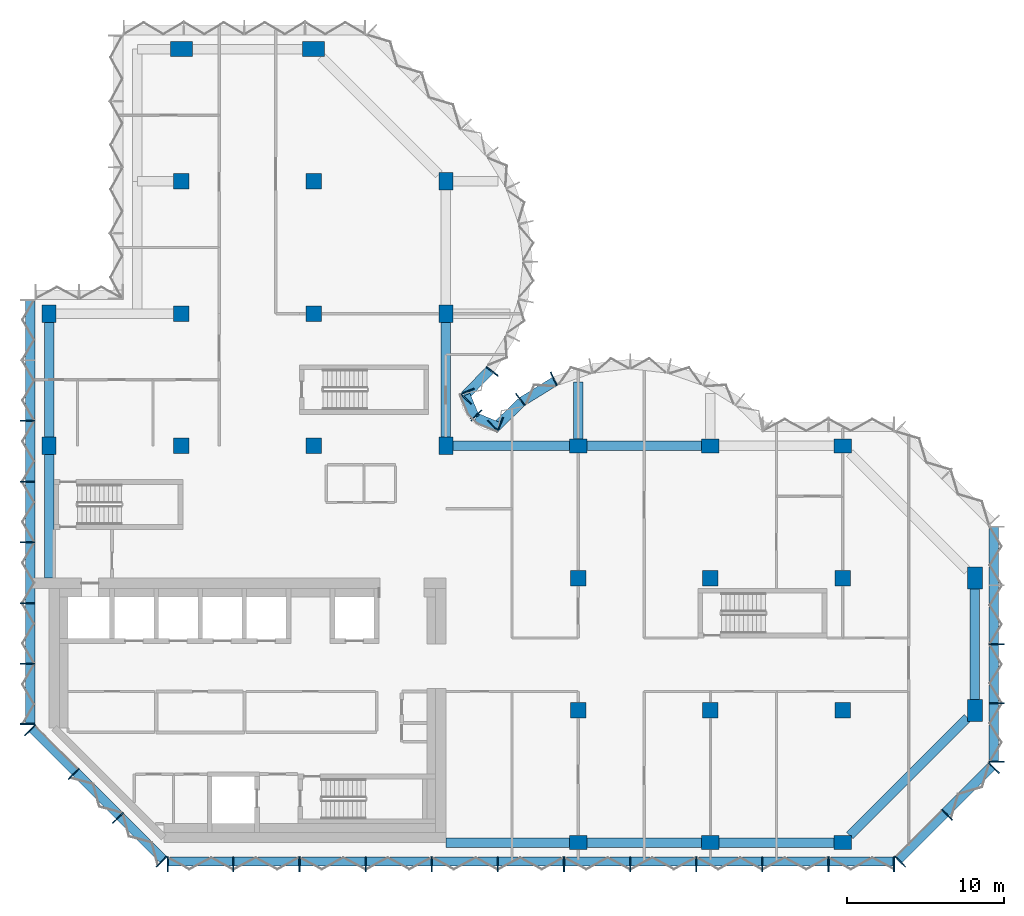
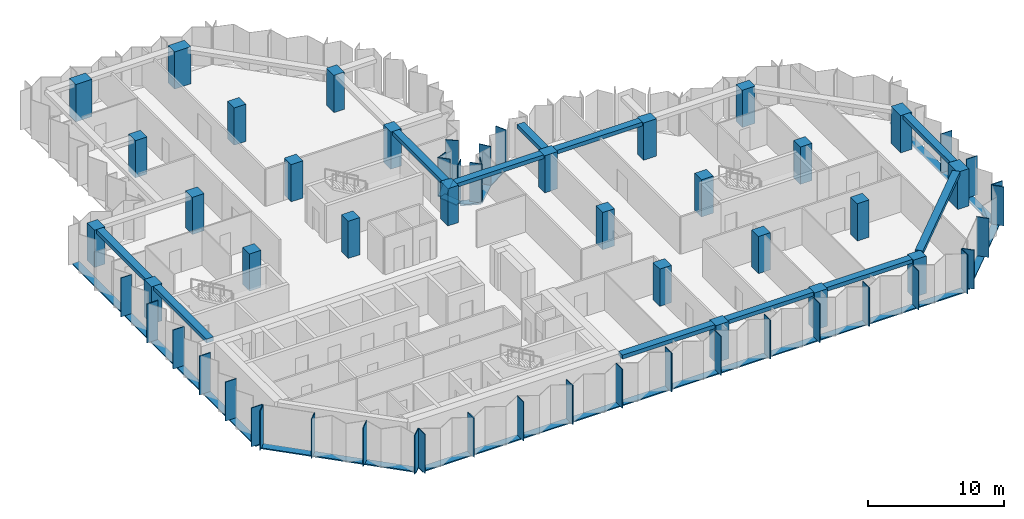
# One storey, part 1 of 10: 46 members, 27 columns, 11 beams, 8 elements without a shape of their own.
"""IFC4 building model written with IfcOpenShell, lengths in metres."""

from ifc_helpers import new_model, si_unit, direction, frame, origin, origin_2d, place, context, subcontext, project, spatial, rectangle, extrude, material, material_profile, profile_set, type_object, element, aggregate, save


model = new_model("IFC4")

# Units and contexts
model_context = context("Model", 3, precision=1e-05, world=origin(), true_north=direction((0.0, 1.0)))
body_context = subcontext(model_context, "Body", "Model", "MODEL_VIEW")
ifc_project = project(units=[si_unit("LENGTHUNIT", "METRE"), si_unit("AREAUNIT", "SQUARE_METRE"), si_unit("VOLUMEUNIT", "CUBIC_METRE"), si_unit("PLANEANGLEUNIT", "RADIAN"), si_unit("MASSUNIT", "GRAM", prefix="KILO")], contexts=[model_context])

# Site, building, storey
site_placement = place(None, origin())
site = spatial("IfcSite", under=ifc_project, at=site_placement, CompositionType="ELEMENT")
building_placement = place(site_placement, origin())
building = spatial("IfcBuilding", under=site, at=building_placement, Name="Brevane Broadcast Tower", CompositionType="ELEMENT")
storey_placement = place(building_placement, frame((0.0, 0.0, 166.800048828125)))
storey = spatial("IfcBuildingStorey", under=building, at=storey_placement, Name="L41", CompositionType="ELEMENT", Elevation=166.800048828125)

# Columns
ifc_material_1 = material(Name="Concrete C60/75", Category="concrete")
ifc_material_profile_1 = material_profile(ifc_material_1, rectangle(XDim=0.89990234375, YDim=1.10009765625, at=origin_2d()), Name="RC 900x1100")
ifc_profile_set_1 = profile_set([ifc_material_profile_1], Name="Concrete C60/75")
column_type_1 = type_object("IfcColumnType", Name="RC COLUMN EDGE 900x1100 C60/75", PredefinedType="COLUMN", material=ifc_profile_set_1)
for number, where, z_axis, x_axis, name in (
    (1, (0.0, 25.199951171875, 0.0), (0.0, 0.0, 1.0), (1.0, 0.0, 0.0), "CE11 1/D"),
    (2, (0.0, 33.60009765625, 0.0), (0.0, 0.0, 1.0), (1.0, 0.0, 0.0), "CE11 1/E"),
    (3, (25.199951171875, 25.199951171875, 0.0), (0.0, 0.0, 1.0), (1.0, 0.0, 0.0), "CE11 4/D"),
    (4, (25.199951171875, 33.60009765625, 0.0), (0.0, 0.0, 1.0), (1.0, 0.0, 0.0), "CE11 4/E"),
    (5, (25.199951171875, 42.0, 0.0), (0.0, 0.0, 1.0), (1.0, 0.0, 0.0), "CE11 4/F"),
    (6, (33.60009765625, 0.0, 0.0), (0.0, 0.0, 1.0), (0.0, 1.0, 0.0), "CE11 5/A"),
    (7, (33.60009765625, 25.199951171875, 0.0), (0.0, 0.0, 1.0), (0.0, 1.0, 0.0), "CE11 5/D"),
    (8, (42.0, 0.0, 0.0), (0.0, 0.0, 1.0), (0.0, 1.0, 0.0), "CE11 6/A"),
    (9, (42.0, 25.199951171875, 0.0), (0.0, 0.0, 1.0), (0.0, 1.0, 0.0), "CE11 6/D"),
    (10, (50.39990234375, 0.0, 0.0), (0.0, 0.0, 1.0), (0.0, 1.0, 0.0), "CE11 7/A"),
    (11, (50.39990234375, 25.199951171875, 0.0), (0.0, 0.0, 1.0), (0.0, 1.0, 0.0), "CE11 7/D"),
):
    element("IfcColumn", number, at=place(storey_placement, frame(where, z_axis=z_axis, x_axis=x_axis)), inside=storey, type_object=column_type_1, Name=name, PredefinedType="COLUMN", context=body_context, shape_type="SweptSolid", body=[
        extrude(rectangle(XDim=0.89990234375, YDim=1.10009765625, at=origin_2d()), origin(), (0.0, 0.0, 1.0), 3.349853515625),
    ])
ifc_material_profile_2 = material_profile(ifc_material_1, rectangle(XDim=1.0, YDim=1.0, at=origin_2d()), Name="RC 1000x1000")
ifc_profile_set_2 = profile_set([ifc_material_profile_2], Name="Concrete C60/75")
column_type_2 = type_object("IfcColumnType", Name="RC COLUMN INTERIOR 1000x1000 C60/75", PredefinedType="COLUMN", material=ifc_profile_set_2)
for number, where, z_axis, x_axis, name in (
    (12, (8.39990234375, 25.199951171875, 0.0), (0.0, 0.0, 1.0), (1.0, 0.0, 0.0), "CI12 2/D"),
    (13, (8.39990234375, 33.60009765625, 0.0), (0.0, 0.0, 1.0), (1.0, 0.0, 0.0), "CI12 2/E"),
    (14, (8.39990234375, 42.0, 0.0), (0.0, 0.0, 1.0), (1.0, 0.0, 0.0), "CI12 2/F"),
    (15, (16.800048828125, 25.199951171875, 0.0), (0.0, 0.0, 1.0), (1.0, 0.0, 0.0), "CI12 3/D"),
    (16, (16.800048828125, 33.60009765625, 0.0), (0.0, 0.0, 1.0), (1.0, 0.0, 0.0), "CI12 3/E"),
    (17, (16.800048828125, 42.0, 0.0), (0.0, 0.0, 1.0), (1.0, 0.0, 0.0), "CI12 3/F"),
    (18, (33.60009765625, 8.39990234375, 0.0), (0.0, 0.0, 1.0), (1.0, 0.0, 0.0), "CI12 5/B"),
    (19, (33.60009765625, 16.800048828125, 0.0), (0.0, 0.0, 1.0), (1.0, 0.0, 0.0), "CI12 5/C"),
    (20, (42.0, 8.39990234375, 0.0), (0.0, 0.0, 1.0), (1.0, 0.0, 0.0), "CI12 6/B"),
    (21, (42.0, 16.800048828125, 0.0), (0.0, 0.0, 1.0), (1.0, 0.0, 0.0), "CI12 6/C"),
    (22, (50.39990234375, 8.39990234375, 0.0), (0.0, 0.0, 1.0), (1.0, 0.0, 0.0), "CI12 7/B"),
    (23, (50.39990234375, 16.800048828125, 0.0), (0.0, 0.0, 1.0), (1.0, 0.0, 0.0), "CI12 7/C"),
):
    element("IfcColumn", number, at=place(storey_placement, frame(where, z_axis=z_axis, x_axis=x_axis)), inside=storey, type_object=column_type_2, Name=name, PredefinedType="COLUMN", context=body_context, shape_type="SweptSolid", body=[
        extrude(rectangle(XDim=1.0, YDim=1.0, at=origin_2d()), origin(), (0.0, 0.0, 1.0), 3.349853515625),
    ])
ifc_material_profile_3 = material_profile(ifc_material_1, rectangle(XDim=0.949951171875, YDim=1.39990234375, at=origin_2d()), Name="RC 950x1400")
ifc_profile_set_3 = profile_set([ifc_material_profile_3], Name="Concrete C60/75")
column_type_3 = type_object("IfcColumnType", Name="RC COLUMN WING-END 950x1400 C60/75", PredefinedType="COLUMN", material=ifc_profile_set_3)
for number, where, z_axis, x_axis, name in (
    (24, (8.39990234375, 50.39990234375, 0.0), (0.0, 0.0, 1.0), (0.0, 1.0, 0.0), "CW13 2/G"),
    (25, (16.800048828125, 50.39990234375, 0.0), (0.0, 0.0, 1.0), (0.0, 1.0, 0.0), "CW13 3/G"),
    (26, (58.800048828125, 8.39990234375, 0.0), (0.0, 0.0, 1.0), (1.0, 0.0, 0.0), "CW13 8/B"),
    (27, (58.800048828125, 16.800048828125, 0.0), (0.0, 0.0, 1.0), (1.0, 0.0, 0.0), "CW13 8/C"),
):
    element("IfcColumn", number, at=place(storey_placement, frame(where, z_axis=z_axis, x_axis=x_axis)), inside=storey, type_object=column_type_3, Name=name, PredefinedType="COLUMN", context=body_context, shape_type="SweptSolid", body=[
        extrude(rectangle(XDim=0.949951171875, YDim=1.39990234375, at=origin_2d()), origin(), (0.0, 0.0, 1.0), 3.349853515625),
    ])

# Curtain wall, members
ifc_material_2 = material(Name="Aluminium 6063-T6 bronze anodised", Category="aluminium")
curtain_wall_type = type_object("IfcCurtainWallType", Name="CW-1 curtain wall", PredefinedType="NOTDEFINED", material=ifc_material_2)
curtain_wall_1_placement = place(storey_placement, origin())
curtain_wall_1 = element("IfcCurtainWall", 28, at=curtain_wall_1_placement, inside=storey, type_object=curtain_wall_type, Name="CW-1 typical tilted unit L41 south face", PredefinedType="NOTDEFINED")
ifc_material_profile_4 = material_profile(ifc_material_2, rectangle(XDim=0.949951171875, YDim=0.070068359375, at=origin_2d()), Name="RECT 70x950")
ifc_profile_set_4 = profile_set([ifc_material_profile_4], Name="Aluminium 6063-T6 bronze anodised")
member_type_1 = type_object("IfcMemberType", Name="CW-1 mullion 70x950", PredefinedType="MULLION", material=ifc_profile_set_4)
member_1_placement = place(storey_placement, frame((7.534912109375, -1.375, -0.150146484375), z_axis=(0.0, 0.0, 1.0), x_axis=(0.0, 1.0, 0.0)))
member_1 = element("IfcMember", 29, at=member_1_placement, type_object=member_type_1, Name="CW-1 mullion", PredefinedType="MULLION", context=body_context, shape_type="SweptSolid", body=[
    extrude(rectangle(XDim=0.949951171875, YDim=0.070068359375, at=origin_2d()), origin(), (0.0, 0.0, 1.0), 3.5),
])
member_2_placement = place(storey_placement, frame((11.699951171875, -1.375, -0.150146484375), z_axis=(0.0, 0.0, 1.0), x_axis=(0.0, 1.0, 0.0)))
member_2 = element("IfcMember", 30, at=member_2_placement, type_object=member_type_1, Name="CW-1 mullion", PredefinedType="MULLION", context=body_context, shape_type="SweptSolid", body=[
    extrude(rectangle(XDim=0.949951171875, YDim=0.070068359375, at=origin_2d()), origin(), (0.0, 0.0, 1.0), 3.5),
])
member_3_placement = place(storey_placement, frame((15.89990234375, -1.375, -0.150146484375), z_axis=(0.0, 0.0, 1.0), x_axis=(0.0, 1.0, 0.0)))
member_3 = element("IfcMember", 31, at=member_3_placement, type_object=member_type_1, Name="CW-1 mullion", PredefinedType="MULLION", context=body_context, shape_type="SweptSolid", body=[
    extrude(rectangle(XDim=0.949951171875, YDim=0.070068359375, at=origin_2d()), origin(), (0.0, 0.0, 1.0), 3.5),
])
member_4_placement = place(storey_placement, frame((20.10009765625, -1.375, -0.150146484375), z_axis=(0.0, 0.0, 1.0), x_axis=(0.0, 1.0, 0.0)))
member_4 = element("IfcMember", 32, at=member_4_placement, type_object=member_type_1, Name="CW-1 mullion", PredefinedType="MULLION", context=body_context, shape_type="SweptSolid", body=[
    extrude(rectangle(XDim=0.949951171875, YDim=0.070068359375, at=origin_2d()), origin(), (0.0, 0.0, 1.0), 3.5),
])
member_5_placement = place(storey_placement, frame((24.300048828125, -1.375, -0.150146484375), z_axis=(0.0, 0.0, 1.0), x_axis=(0.0, 1.0, 0.0)))
member_5 = element("IfcMember", 33, at=member_5_placement, type_object=member_type_1, Name="CW-1 mullion", PredefinedType="MULLION", context=body_context, shape_type="SweptSolid", body=[
    extrude(rectangle(XDim=0.949951171875, YDim=0.070068359375, at=origin_2d()), origin(), (0.0, 0.0, 1.0), 3.5),
])
member_6_placement = place(storey_placement, frame((28.5, -1.375, -0.150146484375), z_axis=(0.0, 0.0, 1.0), x_axis=(0.0, 1.0, 0.0)))
member_6 = element("IfcMember", 34, at=member_6_placement, type_object=member_type_1, Name="CW-1 mullion", PredefinedType="MULLION", context=body_context, shape_type="SweptSolid", body=[
    extrude(rectangle(XDim=0.949951171875, YDim=0.070068359375, at=origin_2d()), origin(), (0.0, 0.0, 1.0), 3.5),
])
member_7_placement = place(storey_placement, frame((32.699951171875, -1.375, -0.150146484375), z_axis=(0.0, 0.0, 1.0), x_axis=(0.0, 1.0, 0.0)))
member_7 = element("IfcMember", 35, at=member_7_placement, type_object=member_type_1, Name="CW-1 mullion", PredefinedType="MULLION", context=body_context, shape_type="SweptSolid", body=[
    extrude(rectangle(XDim=0.949951171875, YDim=0.070068359375, at=origin_2d()), origin(), (0.0, 0.0, 1.0), 3.5),
])
member_8_placement = place(storey_placement, frame((36.89990234375, -1.375, -0.150146484375), z_axis=(0.0, 0.0, 1.0), x_axis=(0.0, 1.0, 0.0)))
member_8 = element("IfcMember", 36, at=member_8_placement, type_object=member_type_1, Name="CW-1 mullion", PredefinedType="MULLION", context=body_context, shape_type="SweptSolid", body=[
    extrude(rectangle(XDim=0.949951171875, YDim=0.070068359375, at=origin_2d()), origin(), (0.0, 0.0, 1.0), 3.5),
])
member_9_placement = place(storey_placement, frame((41.10009765625, -1.375, -0.150146484375), z_axis=(0.0, 0.0, 1.0), x_axis=(0.0, 1.0, 0.0)))
member_9 = element("IfcMember", 37, at=member_9_placement, type_object=member_type_1, Name="CW-1 mullion", PredefinedType="MULLION", context=body_context, shape_type="SweptSolid", body=[
    extrude(rectangle(XDim=0.949951171875, YDim=0.070068359375, at=origin_2d()), origin(), (0.0, 0.0, 1.0), 3.5),
])
member_10_placement = place(storey_placement, frame((45.300048828125, -1.375, -0.150146484375), z_axis=(0.0, 0.0, 1.0), x_axis=(0.0, 1.0, 0.0)))
member_10 = element("IfcMember", 38, at=member_10_placement, type_object=member_type_1, Name="CW-1 mullion", PredefinedType="MULLION", context=body_context, shape_type="SweptSolid", body=[
    extrude(rectangle(XDim=0.949951171875, YDim=0.070068359375, at=origin_2d()), origin(), (0.0, 0.0, 1.0), 3.5),
])
member_11_placement = place(storey_placement, frame((49.5, -1.375, -0.150146484375), z_axis=(0.0, 0.0, 1.0), x_axis=(0.0, 1.0, 0.0)))
member_11 = element("IfcMember", 39, at=member_11_placement, type_object=member_type_1, Name="CW-1 mullion", PredefinedType="MULLION", context=body_context, shape_type="SweptSolid", body=[
    extrude(rectangle(XDim=0.949951171875, YDim=0.070068359375, at=origin_2d()), origin(), (0.0, 0.0, 1.0), 3.5),
])
member_12_placement = place(storey_placement, frame((53.6650390625, -1.375, -0.150146484375), z_axis=(0.0, 0.0, 1.0), x_axis=(0.0, 1.0, 0.0)))
member_12 = element("IfcMember", 40, at=member_12_placement, type_object=member_type_1, Name="CW-1 mullion", PredefinedType="MULLION", context=body_context, shape_type="SweptSolid", body=[
    extrude(rectangle(XDim=0.949951171875, YDim=0.070068359375, at=origin_2d()), origin(), (0.0, 0.0, 1.0), 3.5),
])

curtain_wall_2_placement = place(storey_placement, origin())
curtain_wall_2 = element("IfcCurtainWall", 41, at=curtain_wall_2_placement, inside=storey, type_object=curtain_wall_type, Name="CW-1 typical tilted unit L41 south-east chamfer", PredefinedType="NOTDEFINED")
member_13_placement = place(storey_placement, frame((54.060546875, -1.211181640625, -0.150146484375), z_axis=(0.0, 0.0, 1.0), x_axis=(-0.707106781187, 0.707106781187, 0.0)))
member_13 = element("IfcMember", 42, at=member_13_placement, type_object=member_type_1, Name="CW-1 mullion", PredefinedType="MULLION", context=body_context, shape_type="SweptSolid", body=[
    extrude(rectangle(XDim=0.949951171875, YDim=0.070068359375, at=origin_2d()), origin(), (0.0, 0.0, 1.0), 3.5),
])
member_14_placement = place(storey_placement, frame((57.035888671875, 1.76416015625, -0.150146484375), z_axis=(0.0, 0.0, 1.0), x_axis=(-0.707106781187, 0.707106781187, 0.0)))
member_14 = element("IfcMember", 43, at=member_14_placement, type_object=member_type_1, Name="CW-1 mullion", PredefinedType="MULLION", context=body_context, shape_type="SweptSolid", body=[
    extrude(rectangle(XDim=0.949951171875, YDim=0.070068359375, at=origin_2d()), origin(), (0.0, 0.0, 1.0), 3.5),
])
member_15_placement = place(storey_placement, frame((60.01123046875, 4.7392578125, -0.150146484375), z_axis=(0.0, 0.0, 1.0), x_axis=(-0.707106781187, 0.707106781187, 0.0)))
member_15 = element("IfcMember", 44, at=member_15_placement, type_object=member_type_1, Name="CW-1 mullion", PredefinedType="MULLION", context=body_context, shape_type="SweptSolid", body=[
    extrude(rectangle(XDim=0.949951171875, YDim=0.070068359375, at=origin_2d()), origin(), (0.0, 0.0, 1.0), 3.5),
])

curtain_wall_3_placement = place(storey_placement, origin())
curtain_wall_3 = element("IfcCurtainWall", 45, at=curtain_wall_3_placement, inside=storey, type_object=curtain_wall_type, Name="CW-1 typical tilted unit L41 east end", PredefinedType="NOTDEFINED")
member_16_placement = place(storey_placement, frame((60.175048828125, 5.135009765625, -0.150146484375), z_axis=(0.0, 0.0, 1.0), x_axis=(-1.0, 0.0, 0.0)))
member_16 = element("IfcMember", 46, at=member_16_placement, type_object=member_type_1, Name="CW-1 mullion", PredefinedType="MULLION", context=body_context, shape_type="SweptSolid", body=[
    extrude(rectangle(XDim=0.949951171875, YDim=0.070068359375, at=origin_2d()), origin(), (0.0, 0.0, 1.0), 3.5),
])
member_17_placement = place(storey_placement, frame((60.175048828125, 8.85009765625, -0.150146484375), z_axis=(0.0, 0.0, 1.0), x_axis=(-1.0, 0.0, 0.0)))
member_17 = element("IfcMember", 47, at=member_17_placement, type_object=member_type_1, Name="CW-1 mullion", PredefinedType="MULLION", context=body_context, shape_type="SweptSolid", body=[
    extrude(rectangle(XDim=0.949951171875, YDim=0.070068359375, at=origin_2d()), origin(), (0.0, 0.0, 1.0), 3.5),
])
member_18_placement = place(storey_placement, frame((60.175048828125, 12.60009765625, -0.150146484375), z_axis=(0.0, 0.0, 1.0), x_axis=(-1.0, 0.0, 0.0)))
member_18 = element("IfcMember", 48, at=member_18_placement, type_object=member_type_1, Name="CW-1 mullion", PredefinedType="MULLION", context=body_context, shape_type="SweptSolid", body=[
    extrude(rectangle(XDim=0.949951171875, YDim=0.070068359375, at=origin_2d()), origin(), (0.0, 0.0, 1.0), 3.5),
])

curtain_wall_4_placement = place(storey_placement, origin())
curtain_wall_4 = element("IfcCurtainWall", 49, at=curtain_wall_4_placement, inside=storey, type_object=curtain_wall_type, Name="CW-1 typical tilted unit L41 east bow", PredefinedType="NOTDEFINED")
member_19_placement = place(storey_placement, frame((32.05322265625, 29.4580078125, -0.150146484375), z_axis=(0.0, 0.0, 1.0), x_axis=(0.429933580394, -0.902860518823, 0.0)))
member_19 = element("IfcMember", 50, at=member_19_placement, type_object=member_type_1, Name="CW-1 mullion", PredefinedType="MULLION", context=body_context, shape_type="SweptSolid", body=[
    extrude(rectangle(XDim=0.949951171875, YDim=0.070068359375, at=origin_2d()), origin(), (0.0, 0.0, 1.0), 3.5),
])
member_20_placement = place(storey_placement, frame((29.927978515625, 28.1455078125, -0.150146484375), z_axis=(0.0, 0.0, 1.0), x_axis=(0.614769698862, -0.788706673841, 0.0)))
member_20 = element("IfcMember", 51, at=member_20_placement, type_object=member_type_1, Name="CW-1 mullion", PredefinedType="MULLION", context=body_context, shape_type="SweptSolid", body=[
    extrude(rectangle(XDim=0.949951171875, YDim=0.070068359375, at=origin_2d()), origin(), (0.0, 0.0, 1.0), 3.5),
])
member_21_placement = place(storey_placement, frame((28.194091796875, 26.465087890625, -0.150146484375), z_axis=(0.0, 0.0, 1.0), x_axis=(0.696812089895, -0.717253728729, 0.0)))
member_21 = element("IfcMember", 52, at=member_21_placement, type_object=member_type_1, Name="CW-1 mullion", PredefinedType="MULLION", context=body_context, shape_type="SweptSolid", body=[
    extrude(rectangle(XDim=0.949951171875, YDim=0.070068359375, at=origin_2d()), origin(), (0.0, 0.0, 1.0), 3.5),
])

curtain_wall_5_placement = place(storey_placement, origin())
curtain_wall_5 = element("IfcCurtainWall", 53, at=curtain_wall_5_placement, inside=storey, type_object=curtain_wall_type, Name="CW-1 typical tilted unit L41 inner corner", PredefinedType="NOTDEFINED")
member_22_placement = place(storey_placement, frame((28.6494140625, 26.55224609375, -0.150146484375), z_axis=(0.0, 0.0, 1.0), x_axis=(-0.382683432365, -0.923879532511, 0.0)))
member_22 = element("IfcMember", 54, at=member_22_placement, type_object=member_type_1, Name="CW-1 mullion", PredefinedType="MULLION", context=body_context, shape_type="SweptSolid", body=[
    extrude(rectangle(XDim=0.949951171875, YDim=0.070068359375, at=origin_2d()), origin(), (0.0, 0.0, 1.0), 3.5),
])
member_23_placement = place(storey_placement, frame((27.138916015625, 27.138916015625, -0.150146484375), z_axis=(0.0, 0.0, 1.0), x_axis=(-0.707106781187, -0.707106781187, 0.0)))
member_23 = element("IfcMember", 55, at=member_23_placement, type_object=member_type_1, Name="CW-1 mullion", PredefinedType="MULLION", context=body_context, shape_type="SweptSolid", body=[
    extrude(rectangle(XDim=0.949951171875, YDim=0.070068359375, at=origin_2d()), origin(), (0.0, 0.0, 1.0), 3.5),
])
member_24_placement = place(storey_placement, frame((26.55224609375, 28.6494140625, -0.150146484375), z_axis=(0.0, 0.0, 1.0), x_axis=(-0.923879532511, -0.382683432365, 0.0)))
member_24 = element("IfcMember", 56, at=member_24_placement, type_object=member_type_1, Name="CW-1 mullion", PredefinedType="MULLION", context=body_context, shape_type="SweptSolid", body=[
    extrude(rectangle(XDim=0.949951171875, YDim=0.070068359375, at=origin_2d()), origin(), (0.0, 0.0, 1.0), 3.5),
])

curtain_wall_6_placement = place(storey_placement, origin())
curtain_wall_6 = element("IfcCurtainWall", 57, at=curtain_wall_6_placement, inside=storey, type_object=curtain_wall_type, Name="CW-1 typical tilted unit L41 north bow", PredefinedType="NOTDEFINED")
member_25_placement = place(storey_placement, frame((26.465087890625, 28.194091796875, -0.150146484375), z_axis=(0.0, 0.0, 1.0), x_axis=(-0.717253728729, 0.696812089895, 0.0)))
member_25 = element("IfcMember", 58, at=member_25_placement, type_object=member_type_1, Name="CW-1 mullion", PredefinedType="MULLION", context=body_context, shape_type="SweptSolid", body=[
    extrude(rectangle(XDim=0.949951171875, YDim=0.070068359375, at=origin_2d()), origin(), (0.0, 0.0, 1.0), 3.5),
])
member_26_placement = place(storey_placement, frame((28.1455078125, 29.927978515625, -0.150146484375), z_axis=(0.0, 0.0, 1.0), x_axis=(-0.788706673841, 0.614769698862, 0.0)))
member_26 = element("IfcMember", 59, at=member_26_placement, type_object=member_type_1, Name="CW-1 mullion", PredefinedType="MULLION", context=body_context, shape_type="SweptSolid", body=[
    extrude(rectangle(XDim=0.949951171875, YDim=0.070068359375, at=origin_2d()), origin(), (0.0, 0.0, 1.0), 3.5),
])

curtain_wall_7_placement = place(storey_placement, origin())
curtain_wall_7 = element("IfcCurtainWall", 60, at=curtain_wall_7_placement, inside=storey, type_object=curtain_wall_type, Name="CW-1 typical tilted unit L41 west face", PredefinedType="NOTDEFINED")
member_27_placement = place(storey_placement, frame((-1.375, 26.78564453125, -0.150146484375), z_axis=(0.0, 0.0, 1.0), x_axis=(1.0, 0.0, 0.0)))
member_27 = element("IfcMember", 61, at=member_27_placement, type_object=member_type_1, Name="CW-1 mullion", PredefinedType="MULLION", context=body_context, shape_type="SweptSolid", body=[
    extrude(rectangle(XDim=0.949951171875, YDim=0.070068359375, at=origin_2d()), origin(), (0.0, 0.0, 1.0), 3.5),
])
member_28_placement = place(storey_placement, frame((-1.375, 22.928466796875, -0.150146484375), z_axis=(0.0, 0.0, 1.0), x_axis=(1.0, 0.0, 0.0)))
member_28 = element("IfcMember", 62, at=member_28_placement, type_object=member_type_1, Name="CW-1 mullion", PredefinedType="MULLION", context=body_context, shape_type="SweptSolid", body=[
    extrude(rectangle(XDim=0.949951171875, YDim=0.070068359375, at=origin_2d()), origin(), (0.0, 0.0, 1.0), 3.5),
])
member_29_placement = place(storey_placement, frame((-1.375, 19.071533203125, -0.150146484375), z_axis=(0.0, 0.0, 1.0), x_axis=(1.0, 0.0, 0.0)))
member_29 = element("IfcMember", 63, at=member_29_placement, type_object=member_type_1, Name="CW-1 mullion", PredefinedType="MULLION", context=body_context, shape_type="SweptSolid", body=[
    extrude(rectangle(XDim=0.949951171875, YDim=0.070068359375, at=origin_2d()), origin(), (0.0, 0.0, 1.0), 3.5),
])
member_30_placement = place(storey_placement, frame((-1.375, 15.21435546875, -0.150146484375), z_axis=(0.0, 0.0, 1.0), x_axis=(1.0, 0.0, 0.0)))
member_30 = element("IfcMember", 64, at=member_30_placement, type_object=member_type_1, Name="CW-1 mullion", PredefinedType="MULLION", context=body_context, shape_type="SweptSolid", body=[
    extrude(rectangle(XDim=0.949951171875, YDim=0.070068359375, at=origin_2d()), origin(), (0.0, 0.0, 1.0), 3.5),
])
member_31_placement = place(storey_placement, frame((-1.375, 11.357177734375, -0.150146484375), z_axis=(0.0, 0.0, 1.0), x_axis=(1.0, 0.0, 0.0)))
member_31 = element("IfcMember", 65, at=member_31_placement, type_object=member_type_1, Name="CW-1 mullion", PredefinedType="MULLION", context=body_context, shape_type="SweptSolid", body=[
    extrude(rectangle(XDim=0.949951171875, YDim=0.070068359375, at=origin_2d()), origin(), (0.0, 0.0, 1.0), 3.5),
])
member_32_placement = place(storey_placement, frame((-1.375, 7.534912109375, -0.150146484375), z_axis=(0.0, 0.0, 1.0), x_axis=(1.0, 0.0, 0.0)))
member_32 = element("IfcMember", 66, at=member_32_placement, type_object=member_type_1, Name="CW-1 mullion", PredefinedType="MULLION", context=body_context, shape_type="SweptSolid", body=[
    extrude(rectangle(XDim=0.949951171875, YDim=0.070068359375, at=origin_2d()), origin(), (0.0, 0.0, 1.0), 3.5),
])

curtain_wall_8_placement = place(storey_placement, origin())
curtain_wall_8 = element("IfcCurtainWall", 67, at=curtain_wall_8_placement, inside=storey, type_object=curtain_wall_type, Name="CW-1 typical tilted unit L41 south-west chamfer", PredefinedType="NOTDEFINED")
member_33_placement = place(storey_placement, frame((-1.211181640625, 7.139404296875, -0.150146484375), z_axis=(0.0, 0.0, 1.0), x_axis=(0.707106781187, 0.707106781187, 0.0)))
member_33 = element("IfcMember", 68, at=member_33_placement, type_object=member_type_1, Name="CW-1 mullion", PredefinedType="MULLION", context=body_context, shape_type="SweptSolid", body=[
    extrude(rectangle(XDim=0.949951171875, YDim=0.070068359375, at=origin_2d()), origin(), (0.0, 0.0, 1.0), 3.5),
])
member_34_placement = place(storey_placement, frame((1.564208984375, 4.364013671875, -0.150146484375), z_axis=(0.0, 0.0, 1.0), x_axis=(0.707106781187, 0.707106781187, 0.0)))
member_34 = element("IfcMember", 69, at=member_34_placement, type_object=member_type_1, Name="CW-1 mullion", PredefinedType="MULLION", context=body_context, shape_type="SweptSolid", body=[
    extrude(rectangle(XDim=0.949951171875, YDim=0.070068359375, at=origin_2d()), origin(), (0.0, 0.0, 1.0), 3.5),
])
member_35_placement = place(storey_placement, frame((4.364013671875, 1.564208984375, -0.150146484375), z_axis=(0.0, 0.0, 1.0), x_axis=(0.707106781187, 0.707106781187, 0.0)))
member_35 = element("IfcMember", 70, at=member_35_placement, type_object=member_type_1, Name="CW-1 mullion", PredefinedType="MULLION", context=body_context, shape_type="SweptSolid", body=[
    extrude(rectangle(XDim=0.949951171875, YDim=0.070068359375, at=origin_2d()), origin(), (0.0, 0.0, 1.0), 3.5),
])
member_36_placement = place(storey_placement, frame((7.139404296875, -1.211181640625, -0.150146484375), z_axis=(0.0, 0.0, 1.0), x_axis=(0.707106781187, 0.707106781187, 0.0)))
member_36 = element("IfcMember", 71, at=member_36_placement, type_object=member_type_1, Name="CW-1 mullion", PredefinedType="MULLION", context=body_context, shape_type="SweptSolid", body=[
    extrude(rectangle(XDim=0.949951171875, YDim=0.070068359375, at=origin_2d()), origin(), (0.0, 0.0, 1.0), 3.5),
])

# Member
ifc_material_profile_5 = material_profile(ifc_material_2, rectangle(XDim=0.60009765625, YDim=0.10009765625, at=origin_2d()), Name="RECT 100x600")
ifc_profile_set_5 = profile_set([ifc_material_profile_5], Name="Aluminium 6063-T6 bronze anodised")
member_type_2 = type_object("IfcMemberType", Name="CW-1 transom 100x600", PredefinedType="USERDEFINED", material=ifc_profile_set_5)
member_37_placement = place(storey_placement, frame((7.5, -1.199951171875, -0.199951171875), z_axis=(1.0, 0.0, 0.0), x_axis=(0.0, 1.0, 0.0)))
member_37 = element("IfcMember", 72, at=member_37_placement, type_object=member_type_2, Name="CW-1 transom", ObjectType="TRANSOM", PredefinedType="USERDEFINED", context=body_context, shape_type="SweptSolid", body=[
    extrude(rectangle(XDim=0.60009765625, YDim=0.10009765625, at=origin_2d()), origin(), (0.0, 0.0, 1.0), 46.199951171875),
])

aggregate(curtain_wall_1, [member_1, member_2, member_3, member_4, member_5, member_6, member_7, member_8, member_9, member_10, member_11, member_12, member_37])

member_38_placement = place(storey_placement, frame((53.912109375, -1.112060546875, -0.199951171875), z_axis=(0.707106781187, 0.707106781187, 0.0), x_axis=(-0.707106781187, 0.707106781187, 0.0)))
member_38 = element("IfcMember", 73, at=member_38_placement, type_object=member_type_2, Name="CW-1 transom", ObjectType="TRANSOM", PredefinedType="USERDEFINED", context=body_context, shape_type="SweptSolid", body=[
    extrude(rectangle(XDim=0.60009765625, YDim=0.10009765625, at=origin_2d()), origin(), (0.0, 0.0, 1.0), 8.4853515625),
])

aggregate(curtain_wall_2, [member_13, member_14, member_15, member_38])

member_39_placement = place(storey_placement, frame((60.0, 5.10009765625, -0.199951171875), z_axis=(0.0, 1.0, 0.0), x_axis=(-1.0, 0.0, 0.0)))
member_39 = element("IfcMember", 74, at=member_39_placement, type_object=member_type_2, Name="CW-1 transom", ObjectType="TRANSOM", PredefinedType="USERDEFINED", context=body_context, shape_type="SweptSolid", body=[
    extrude(rectangle(XDim=0.60009765625, YDim=0.10009765625, at=origin_2d()), origin(), (0.0, 0.0, 1.0), 15.0),
])

aggregate(curtain_wall_3, [member_16, member_17, member_18, member_39])

member_40_placement = place(storey_placement, frame((32.09521484375, 29.281494140625, -0.199951171875), z_axis=(-0.850838211365, -0.525427766759, 0.0), x_axis=(0.525427766759, -0.850838211365, 0.0)))
member_40 = element("IfcMember", 75, at=member_40_placement, type_object=member_type_2, Name="CW-1 transom", ObjectType="TRANSOM", PredefinedType="USERDEFINED", context=body_context, shape_type="SweptSolid", body=[
    extrude(rectangle(XDim=0.60009765625, YDim=0.10009765625, at=origin_2d()), origin(), (0.0, 0.0, 1.0), 2.394775390625),
])

member_41_placement = place(storey_placement, frame((29.99951171875, 27.974365234375, -0.199951171875), z_axis=(-0.71724215871, -0.696823999134, 0.0), x_axis=(0.696823999134, -0.71724215871, 0.0)))
member_41 = element("IfcMember", 76, at=member_41_placement, type_object=member_type_2, Name="CW-1 transom", ObjectType="TRANSOM", PredefinedType="USERDEFINED", context=body_context, shape_type="SweptSolid", body=[
    extrude(rectangle(XDim=0.60009765625, YDim=0.10009765625, at=origin_2d()), origin(), (0.0, 0.0, 1.0), 2.247802734375),
])

aggregate(curtain_wall_4, [member_19, member_20, member_21, member_40, member_41])

member_42_placement = place(storey_placement, frame((28.528076171875, 26.40673828125, -0.199951171875), z_axis=(-0.923883243627, 0.382674472816, 0.0), x_axis=(-0.382674472816, -0.923883243627, 0.0)))
member_42 = element("IfcMember", 77, at=member_42_placement, type_object=member_type_2, Name="CW-1 transom", ObjectType="TRANSOM", PredefinedType="USERDEFINED", context=body_context, shape_type="SweptSolid", body=[
    extrude(rectangle(XDim=0.60009765625, YDim=0.10009765625, at=origin_2d()), origin(), (0.0, 0.0, 1.0), 1.536865234375),
])

member_43_placement = place(storey_placement, frame((27.039794921875, 27.0, -0.199951171875), z_axis=(-0.382674472816, 0.923883243627, 0.0), x_axis=(-0.923883243627, -0.382674472816, 0.0)))
member_43 = element("IfcMember", 78, at=member_43_placement, type_object=member_type_2, Name="CW-1 transom", ObjectType="TRANSOM", PredefinedType="USERDEFINED", context=body_context, shape_type="SweptSolid", body=[
    extrude(rectangle(XDim=0.60009765625, YDim=0.10009765625, at=origin_2d()), origin(), (0.0, 0.0, 1.0), 1.536865234375),
])

aggregate(curtain_wall_5, [member_22, member_23, member_24, member_42, member_43])

member_44_placement = place(storey_placement, frame((26.407958984375, 28.38720703125, -0.199951171875), z_axis=(0.696823999134, 0.71724215871, 0.0), x_axis=(-0.71724215871, 0.696823999134, 0.0)))
member_44 = element("IfcMember", 79, at=member_44_placement, type_object=member_type_2, Name="CW-1 transom", ObjectType="TRANSOM", PredefinedType="USERDEFINED", context=body_context, shape_type="SweptSolid", body=[
    extrude(rectangle(XDim=0.60009765625, YDim=0.10009765625, at=origin_2d()), origin(), (0.0, 0.0, 1.0), 2.247802734375),
])

aggregate(curtain_wall_6, [member_25, member_26, member_44])

member_45_placement = place(storey_placement, frame((-1.199951171875, 34.5, -0.199951171875), z_axis=(0.0, -1.0, 0.0), x_axis=(1.0, 0.0, 0.0)))
member_45 = element("IfcMember", 80, at=member_45_placement, type_object=member_type_2, Name="CW-1 transom", ObjectType="TRANSOM", PredefinedType="USERDEFINED", context=body_context, shape_type="SweptSolid", body=[
    extrude(rectangle(XDim=0.60009765625, YDim=0.10009765625, at=origin_2d()), origin(), (0.0, 0.0, 1.0), 27.0),
])

aggregate(curtain_wall_7, [member_27, member_28, member_29, member_30, member_31, member_32, member_45])

member_46_placement = place(storey_placement, frame((-1.112060546875, 7.287841796875, -0.199951171875), z_axis=(0.707106781187, -0.707106781187, 0.0), x_axis=(0.707106781187, 0.707106781187, 0.0)))
member_46 = element("IfcMember", 81, at=member_46_placement, type_object=member_type_2, Name="CW-1 transom", ObjectType="TRANSOM", PredefinedType="USERDEFINED", context=body_context, shape_type="SweptSolid", body=[
    extrude(rectangle(XDim=0.60009765625, YDim=0.10009765625, at=origin_2d()), origin(), (0.0, 0.0, 1.0), 11.879150390625),
])

aggregate(curtain_wall_8, [member_33, member_34, member_35, member_36, member_46])

# Beams
ifc_material_3 = material(Name="Concrete C40/50", Category="concrete")
ifc_material_profile_6 = material_profile(ifc_material_3, rectangle(XDim=0.60009765625, YDim=0.35009765625, at=origin_2d()), Name="RC 600x350")
ifc_profile_set_6 = profile_set([ifc_material_profile_6], Name="Concrete C40/50")
beam_type_1 = type_object("IfcBeamType", Name="RC BRACKET BEAM 600x350 C40/50", PredefinedType="BEAM", material=ifc_profile_set_6)
beam_1_placement = place(storey_placement, frame((33.60009765625, 25.64990234375, 3.175048828125), z_axis=(0.0, 1.0, 0.0), x_axis=(-1.0, 0.0, 0.0)))
element("IfcBeam", 82, at=beam_1_placement, inside=storey, type_object=beam_type_1, Name="EB2 L41-3", PredefinedType="BEAM", context=body_context, shape_type="SweptSolid", body=[
    extrude(rectangle(XDim=0.60009765625, YDim=0.35009765625, at=origin_2d()), origin(), (0.0, 0.0, 1.0), 3.612060546875),
])
ifc_material_profile_7 = material_profile(ifc_material_3, rectangle(XDim=0.60009765625, YDim=0.35009765625, at=origin_2d()), Name="RC 600x350")
ifc_profile_set_7 = profile_set([ifc_material_profile_7], Name="Concrete C40/50")
beam_type_2 = type_object("IfcBeamType", Name="RC SPANDREL BEAM 600x350 C40/50", PredefinedType="SPANDREL", material=ifc_profile_set_7)
beam_2_placement = place(storey_placement, frame((25.199951171875, 0.0, 3.175048828125), z_axis=(1.0, 0.0, 0.0), x_axis=(0.0, 1.0, 0.0)))
element("IfcBeam", 83, at=beam_2_placement, inside=storey, type_object=beam_type_2, Name="EB1 L41-1", PredefinedType="SPANDREL", context=body_context, shape_type="SweptSolid", body=[
    extrude(rectangle(XDim=0.60009765625, YDim=0.35009765625, at=origin_2d()), origin(), (0.0, 0.0, 1.0), 7.85009765625),
])
for number, where, z_axis, x_axis, name in (
    (84, (34.14990234375, 0.0, 3.175048828125), (1.0, 0.0, 0.0), (0.0, 1.0, 0.0), "EB1 L41-2"),
    (85, (42.550048828125, 0.0, 3.175048828125), (1.0, 0.0, 0.0), (0.0, 1.0, 0.0), "EB1 L41-3"),
):
    element("IfcBeam", number, at=place(storey_placement, frame(where, z_axis=z_axis, x_axis=x_axis)), inside=storey, type_object=beam_type_2, Name=name, PredefinedType="SPANDREL", context=body_context, shape_type="SweptSolid", body=[
        extrude(rectangle(XDim=0.60009765625, YDim=0.35009765625, at=origin_2d()), origin(), (0.0, 0.0, 1.0), 7.300048828125),
    ])
beam_3_placement = place(storey_placement, frame((50.85009765625, 0.449951171875, 3.175048828125), z_axis=(0.707095233664, 0.707118328521, 0.0), x_axis=(-0.707118328521, 0.707095233664, 0.0)))
element("IfcBeam", 86, at=beam_3_placement, inside=storey, type_object=beam_type_2, Name="EB1 L41-4", PredefinedType="SPANDREL", context=body_context, shape_type="SweptSolid", body=[
    extrude(rectangle(XDim=0.60009765625, YDim=0.35009765625, at=origin_2d()), origin(), (0.0, 0.0, 1.0), 10.5712890625),
])
beam_4_placement = place(storey_placement, frame((58.800048828125, 9.10009765625, 3.175048828125), z_axis=(0.0, 1.0, 0.0), x_axis=(-1.0, 0.0, 0.0)))
element("IfcBeam", 87, at=beam_4_placement, inside=storey, type_object=beam_type_2, Name="EB1 L41-5", PredefinedType="SPANDREL", context=body_context, shape_type="SweptSolid", body=[
    extrude(rectangle(XDim=0.60009765625, YDim=0.35009765625, at=origin_2d()), origin(), (0.0, 0.0, 1.0), 7.0),
])
beam_5_placement = place(storey_placement, frame((41.449951171875, 25.199951171875, 3.175048828125), z_axis=(-1.0, 0.0, 0.0), x_axis=(0.0, -1.0, 0.0)))
element("IfcBeam", 88, at=beam_5_placement, inside=storey, type_object=beam_type_2, Name="EB1 L41-8", PredefinedType="SPANDREL", context=body_context, shape_type="SweptSolid", body=[
    extrude(rectangle(XDim=0.60009765625, YDim=0.35009765625, at=origin_2d()), origin(), (0.0, 0.0, 1.0), 7.300048828125),
])
beam_6_placement = place(storey_placement, frame((33.050048828125, 25.199951171875, 3.175048828125), z_axis=(-1.0, 0.0, 0.0), x_axis=(0.0, -1.0, 0.0)))
element("IfcBeam", 89, at=beam_6_placement, inside=storey, type_object=beam_type_2, Name="EB1 L41-9", PredefinedType="SPANDREL", context=body_context, shape_type="SweptSolid", body=[
    extrude(rectangle(XDim=0.60009765625, YDim=0.35009765625, at=origin_2d()), origin(), (0.0, 0.0, 1.0), 7.400146484375),
])
for number, where, z_axis, x_axis, name in (
    (90, (25.199951171875, 25.75, 3.175048828125), (0.0, 1.0, 0.0), (-1.0, 0.0, 0.0), "EB1 L41-10"),
    (91, (0.0, 33.050048828125, 3.175048828125), (0.0, -1.0, 0.0), (1.0, 0.0, 0.0), "EB1 L41-14"),
):
    element("IfcBeam", number, at=place(storey_placement, frame(where, z_axis=z_axis, x_axis=x_axis)), inside=storey, type_object=beam_type_2, Name=name, PredefinedType="SPANDREL", context=body_context, shape_type="SweptSolid", body=[
        extrude(rectangle(XDim=0.60009765625, YDim=0.35009765625, at=origin_2d()), origin(), (0.0, 0.0, 1.0), 7.300048828125),
    ])
beam_7_placement = place(storey_placement, frame((0.0, 24.64990234375, 3.175048828125), z_axis=(0.0, -1.0, 0.0), x_axis=(1.0, 0.0, 0.0)))
element("IfcBeam", 92, at=beam_7_placement, inside=storey, type_object=beam_type_2, Name="EB1 L41-15", PredefinedType="SPANDREL", context=body_context, shape_type="SweptSolid", body=[
    extrude(rectangle(XDim=0.60009765625, YDim=0.35009765625, at=origin_2d()), origin(), (0.0, 0.0, 1.0), 7.849853515625),
])

save(model, "model.ifc")
